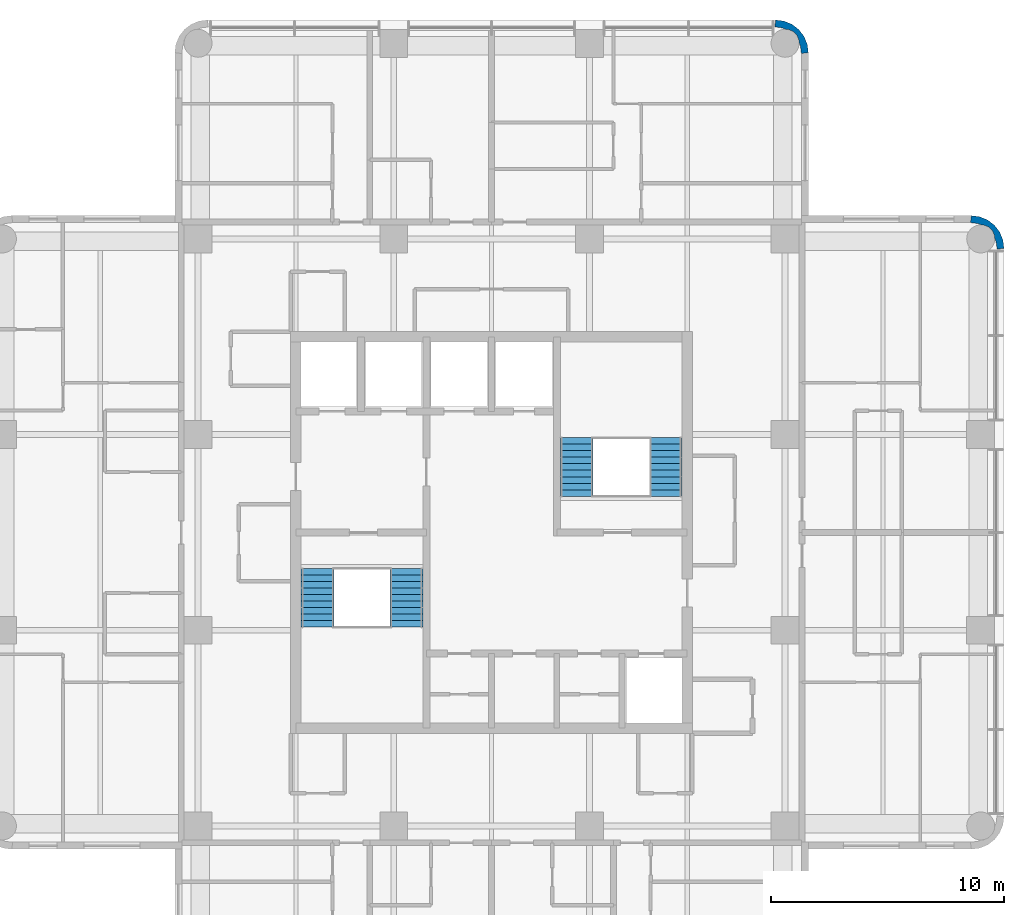
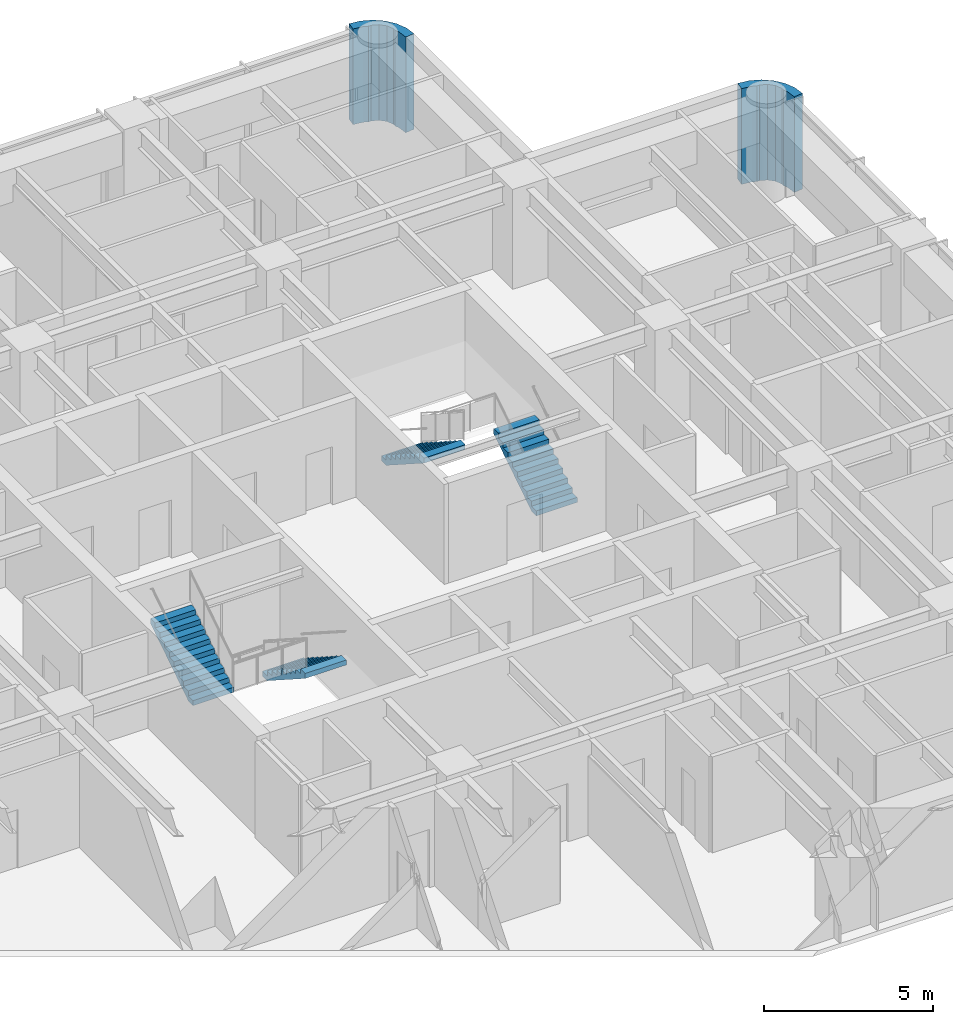
# One storey, part 9 of 10: 4 stair flights, 2 walls, 2 elements without a shape of their own.
"""IFC4 building model written with IfcOpenShell, lengths in metres."""

from ifc_helpers import new_model, si_unit, direction, frame, origin, place, context, subcontext, project, spatial, polyline, outline, extrude, material, layer, layer_set, type_object, element, aggregate, save


model = new_model("IFC4")

# Units and contexts
model_context = context("Model", 3, precision=1e-05, world=origin(), true_north=direction((0.0, 1.0)))
body_context = subcontext(model_context, "Body", "Model", "MODEL_VIEW")
ifc_project = project(units=[si_unit("LENGTHUNIT", "METRE"), si_unit("AREAUNIT", "SQUARE_METRE"), si_unit("VOLUMEUNIT", "CUBIC_METRE"), si_unit("PLANEANGLEUNIT", "RADIAN"), si_unit("MASSUNIT", "GRAM", prefix="KILO")], contexts=[model_context])

# Site, building, storey
site_placement = place(None, origin())
site = spatial("IfcSite", under=ifc_project, at=site_placement, CompositionType="ELEMENT")
building_placement = place(site_placement, origin())
building = spatial("IfcBuilding", under=site, at=building_placement, Name="Torre Alcanfor", CompositionType="ELEMENT")
storey_placement = place(building_placement, frame((0.0, 0.0, 279.300048828125)))
storey = spatial("IfcBuildingStorey", under=building, at=storey_placement, Name="L73", CompositionType="ELEMENT", Elevation=279.300048828125)

# Walls
ifc_material_1 = material(Name="Limestone cladding", Category="masonry")
ifc_layer_1 = layer(ifc_material_1, 0.0400390625, Name="Facing")
ifc_material_2 = material(Name="Ventilated air cavity")
ifc_layer_2 = layer(ifc_material_2, 0.02001953125, ventilated=True, Name="Ventilated joint")
ifc_material_3 = material(Name="Mineral wool insulation", Category="insulation")
ifc_layer_3 = layer(ifc_material_3, 0.10009765625, Name="Insulation")
ifc_material_4 = material(Name="Concrete f'c 35 MPa", Category="concrete")
ifc_layer_4 = layer(ifc_material_4, 0.139892578125, Name="Backing")
ifc_layer_set = layer_set([ifc_layer_1, ifc_layer_2, ifc_layer_3, ifc_layer_4], Name="Rounded corner pier stone-clad 300")
wall_type = type_object("IfcWallType", Name="Rounded corner pier stone-clad 300", PredefinedType="SOLIDWALL", material=ifc_layer_set)
wall_1_placement = place(storey_placement, frame((50.975898117, 41.638418254, 0.0), z_axis=(0.0, 0.0, 1.0), x_axis=(0.707106781187, 0.707106781187, 0.0)))
element("IfcWall", 1, at=wall_1_placement, inside=storey, type_object=wall_type, Name="Corner pier L73 18", PredefinedType="SOLIDWALL", context=body_context, shape_type="SweptSolid", body=[
    extrude(outline(polyline([(0.23318643990489343, 0.11416555226925765), (0.04674226908422171, -0.12890240376361806), (0.032758956272671336, -0.14288571657516844), (0.27271950945853585, -0.32691301851483145), (0.4952440800028376, -0.03706138628528721), (0.6350772081183413, 0.3006097230899294), (0.682724051772513, 0.6627947882582343), (0.6350772081183413, 1.0253251204095404), (0.4952440800028376, 1.3629962297847569), (0.27271950945853585, 1.6528478620143012), (0.032586322781170685, 1.4686479265831376), (0.04656963559272109, 1.454664613771587), (0.2330138064133928, 1.2115966577387114), (0.2922270939981062, 1.0691740272506984), (0.35800045425984317, 1.0034006669889615), (0.44949620475517277, 0.7824297978681654), (0.4493235712636722, 0.5433324121398039), (0.3578278207683425, 0.32236154301900777), (0.29222709399810615, 0.2567608162487714), (0.23318643990489343, 0.11416555226925765)])), origin(), (0.0, 0.0, 1.0), 3.449951171875),
])
wall_2_placement = place(storey_placement, frame((42.575898117, 50.038418254, 0.0), z_axis=(0.0, 0.0, 1.0), x_axis=(0.707106781187, 0.707106781187, 0.0)))
element("IfcWall", 2, at=wall_2_placement, inside=storey, type_object=wall_type, Name="Corner pier L73 19", PredefinedType="SOLIDWALL", context=body_context, shape_type="SweptSolid", body=[
    extrude(outline(polyline([(0.2330138064133928, 0.11420007896755979), (0.0465696355927211, -0.12886787706531594), (0.03258632278117072, -0.14285118987686632), (0.27271950945853585, -0.32705112530802993), (0.4952440800028376, -0.03719949307848569), (0.6350772081183413, 0.3004716162967309), (0.682724051772513, 0.663001948448037), (0.6350772081183413, 1.025187013616342), (0.4952440800028376, 1.3628581229915584), (0.27271950945853596, 1.6527097552211027), (0.032758956272671336, 1.4686824532814398), (0.046742269084221744, 1.4546991404698892), (0.23318643990489346, 1.2116311844370136), (0.2922270939981061, 1.0690359204575), (0.35782782076834246, 1.0034351936872634), (0.4493235712636722, 0.7824643245664674), (0.44949620475517277, 0.543366938838106), (0.3580004542598431, 0.3223960697173099), (0.29222709399810615, 0.2566227094555729), (0.2330138064133928, 0.11420007896755979)])), origin(), (0.0, 0.0, 1.0), 3.449951171875),
])

# Stair, stair flights
ifc_material_5 = material(Name="Concrete f'c 35 MPa", Category="concrete")
stair_type_1 = type_object("IfcStairType", Name="Exit stair S1 1400 wide", PredefinedType="HALF_TURN_STAIR", material=ifc_material_5)
stair_1_placement = place(storey_placement, origin())
stair_1 = element("IfcStair", 3, at=stair_1_placement, inside=storey, type_object=stair_type_1, Name="Stair S1 L73 to L74", PredefinedType="HALF_TURN_STAIR")
ifc_material_6 = material(Name="Concrete f'c 35 MPa", Category="concrete")
stair_flight_type = type_object("IfcStairFlightType", Name="Stair flight 1400", PredefinedType="STRAIGHT", material=ifc_material_6)
stair_flight_1_placement = place(storey_placement, frame((25.75, 27.85009765625, 0.0), z_axis=(0.0, 0.0, 1.0), x_axis=(0.0, -1.0, 0.0)))
stair_flight_1 = element("IfcStairFlight", 4, at=stair_flight_1_placement, type_object=stair_flight_type, Name="S1 flight 1", NumberOfRisers=10, NumberOfTreads=9, PredefinedType="STRAIGHT", RiserHeight=0.18, TreadLength=0.28, context=body_context, shape_type="SweptSolid", body=[
    extrude(outline(polyline([(0.0, 0.0), (0.0, 0.179931640625), (0.280029296875, 0.179931640625), (0.280029296875, 0.360107421875), (0.56005859375, 0.360107421875), (0.56005859375, 0.5400390625), (0.840087890625, 0.5400390625), (0.840087890625, 0.719970703125), (1.1201171875, 0.719970703125), (1.1201171875, 0.89990234375), (1.39990234375, 0.89990234375), (1.39990234375, 1.080078125), (1.679931640625, 1.080078125), (1.679931640625, 1.260009765625), (1.9599609375, 1.260009765625), (1.9599609375, 1.43994140625), (2.239990234375, 1.43994140625), (2.239990234375, 1.6201171875), (2.52001953125, 1.6201171875), (2.52001953125, 1.800048828125), (2.52001953125, 1.44189453125), (0.277099609375, 0.0), (0.0, 0.0)])), frame((0.0, 0.699951171875, 0.0), z_axis=(0.0, -1.0, 0.0), x_axis=(1.0, 0.0, 0.0)), (0.0, 0.0, 1.0), 1.39990234375),
])
stair_flight_2_placement = place(storey_placement, frame((21.925048828125, 25.330078125, 1.800048828125), z_axis=(0.0, 0.0, 1.0), x_axis=(0.0, 1.0, 0.0)))
stair_flight_2 = element("IfcStairFlight", 5, at=stair_flight_2_placement, type_object=stair_flight_type, Name="S1 flight 2", NumberOfRisers=10, NumberOfTreads=9, PredefinedType="STRAIGHT", RiserHeight=0.18, TreadLength=0.28, context=body_context, shape_type="SweptSolid", body=[
    extrude(outline(polyline([(0.0, 0.0), (0.0, 0.179931640625), (0.280029296875, 0.179931640625), (0.280029296875, 0.360107421875), (0.56005859375, 0.360107421875), (0.56005859375, 0.5400390625), (0.840087890625, 0.5400390625), (0.840087890625, 0.719970703125), (1.1201171875, 0.719970703125), (1.1201171875, 0.89990234375), (1.39990234375, 0.89990234375), (1.39990234375, 1.080078125), (1.679931640625, 1.080078125), (1.679931640625, 1.260009765625), (1.9599609375, 1.260009765625), (1.9599609375, 1.43994140625), (2.239990234375, 1.43994140625), (2.239990234375, 1.6201171875), (2.52001953125, 1.6201171875), (2.52001953125, 1.800048828125), (2.52001953125, 1.44189453125), (0.277099609375, 0.0), (0.0, 0.0)])), frame((0.0, 0.699951171875, 0.0), z_axis=(0.0, -1.0, 0.0), x_axis=(1.0, 0.0, 0.0)), (0.0, 0.0, 1.0), 1.39990234375),
])
aggregate(stair_1, [stair_flight_1, stair_flight_2])

ifc_material_7 = material(Name="Concrete f'c 35 MPa", Category="concrete")
stair_type_2 = type_object("IfcStairType", Name="Exit stair S2 1400 wide", PredefinedType="HALF_TURN_STAIR", material=ifc_material_7)
stair_2_placement = place(storey_placement, origin())
stair_2 = element("IfcStair", 6, at=stair_2_placement, inside=storey, type_object=stair_type_2, Name="Stair S2 L73 to L74", PredefinedType="HALF_TURN_STAIR")
stair_flight_3_placement = place(storey_placement, frame((36.875, 30.949951171875, 0.0), z_axis=(0.0, 0.0, 1.0), x_axis=(0.0, 1.0, 0.0)))
stair_flight_3 = element("IfcStairFlight", 7, at=stair_flight_3_placement, type_object=stair_flight_type, Name="S2 flight 1", NumberOfRisers=10, NumberOfTreads=9, PredefinedType="STRAIGHT", RiserHeight=0.18, TreadLength=0.28, context=body_context, shape_type="SweptSolid", body=[
    extrude(outline(polyline([(0.0, 0.0), (0.0, 0.179931640625), (0.280029296875, 0.179931640625), (0.280029296875, 0.360107421875), (0.56005859375, 0.360107421875), (0.56005859375, 0.5400390625), (0.840087890625, 0.5400390625), (0.840087890625, 0.719970703125), (1.1201171875, 0.719970703125), (1.1201171875, 0.89990234375), (1.39990234375, 0.89990234375), (1.39990234375, 1.080078125), (1.679931640625, 1.080078125), (1.679931640625, 1.260009765625), (1.9599609375, 1.260009765625), (1.9599609375, 1.43994140625), (2.239990234375, 1.43994140625), (2.239990234375, 1.6201171875), (2.52001953125, 1.6201171875), (2.52001953125, 1.800048828125), (2.52001953125, 1.44189453125), (0.277099609375, 0.0), (0.0, 0.0)])), frame((0.0, 0.699951171875, 0.0), z_axis=(0.0, -1.0, 0.0), x_axis=(1.0, 0.0, 0.0)), (0.0, 0.0, 1.0), 1.39990234375),
])
stair_flight_4_placement = place(storey_placement, frame((33.050048828125, 33.469970703125, 1.800048828125), z_axis=(0.0, 0.0, 1.0), x_axis=(0.0, -1.0, 0.0)))
stair_flight_4 = element("IfcStairFlight", 8, at=stair_flight_4_placement, type_object=stair_flight_type, Name="S2 flight 2", NumberOfRisers=10, NumberOfTreads=9, PredefinedType="STRAIGHT", RiserHeight=0.18, TreadLength=0.28, context=body_context, shape_type="SweptSolid", body=[
    extrude(outline(polyline([(0.0, 0.0), (0.0, 0.179931640625), (0.280029296875, 0.179931640625), (0.280029296875, 0.360107421875), (0.56005859375, 0.360107421875), (0.56005859375, 0.5400390625), (0.840087890625, 0.5400390625), (0.840087890625, 0.719970703125), (1.1201171875, 0.719970703125), (1.1201171875, 0.89990234375), (1.39990234375, 0.89990234375), (1.39990234375, 1.080078125), (1.679931640625, 1.080078125), (1.679931640625, 1.260009765625), (1.9599609375, 1.260009765625), (1.9599609375, 1.43994140625), (2.239990234375, 1.43994140625), (2.239990234375, 1.6201171875), (2.52001953125, 1.6201171875), (2.52001953125, 1.800048828125), (2.52001953125, 1.44189453125), (0.277099609375, 0.0), (0.0, 0.0)])), frame((0.0, 0.699951171875, 0.0), z_axis=(0.0, -1.0, 0.0), x_axis=(1.0, 0.0, 0.0)), (0.0, 0.0, 1.0), 1.39990234375),
])
aggregate(stair_2, [stair_flight_3, stair_flight_4])

save(model, "model.ifc")
